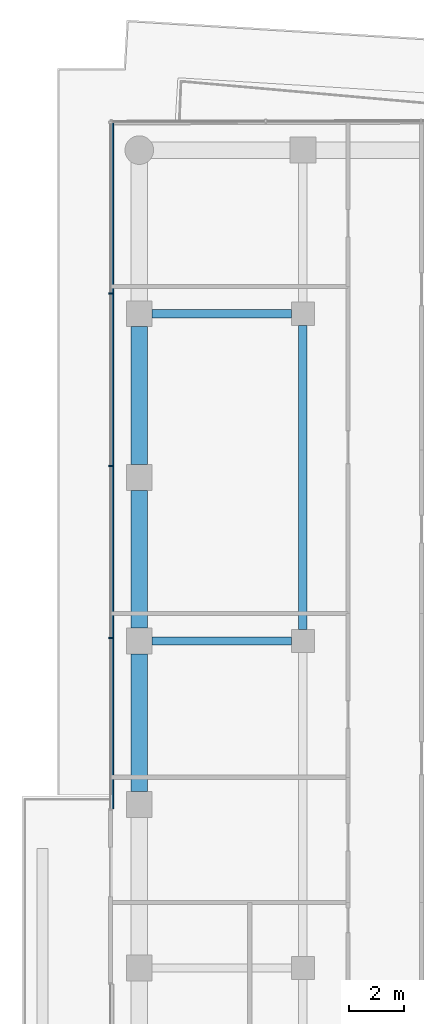
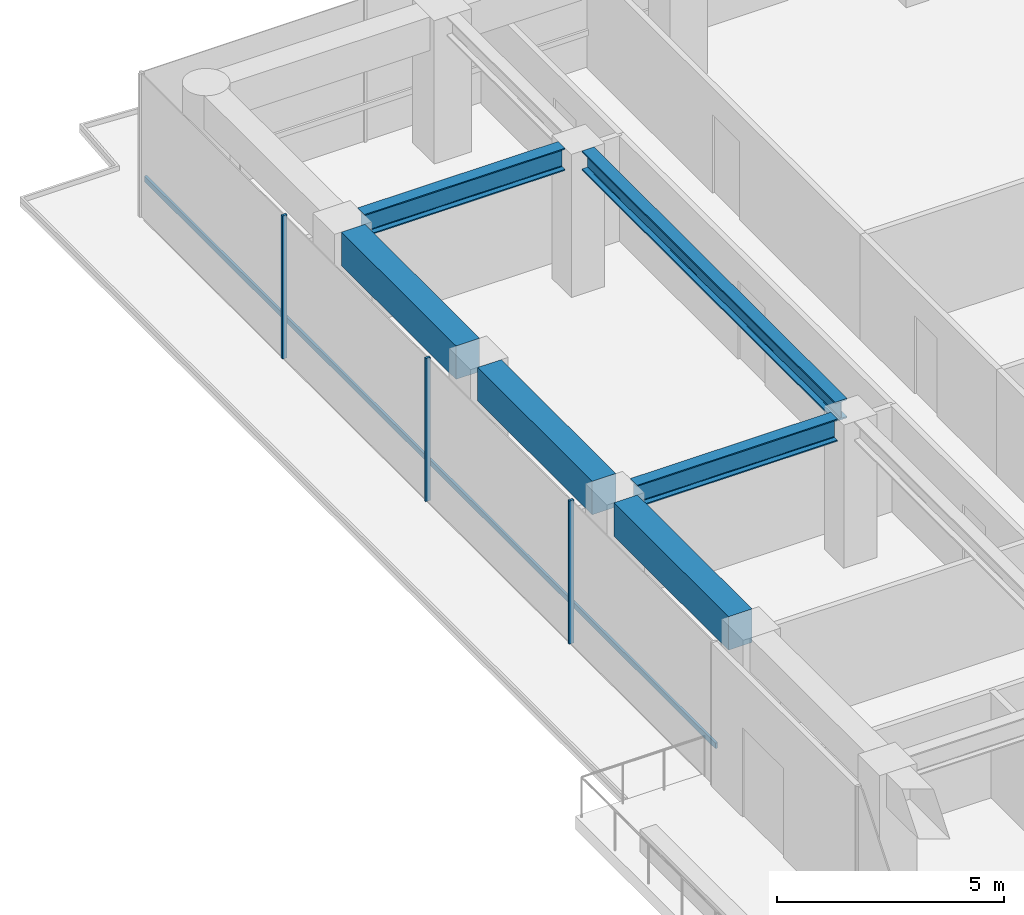
# One storey, part 14 of 27: 6 beams, 4 members, 1 element without a shape of its own.
"""IFC4 building model written with IfcOpenShell, lengths in metres."""

from ifc_helpers import new_model, si_unit, direction, frame, origin, origin_2d, place, context, subcontext, project, spatial, rectangle, i_section, extrude, material, layer, layer_set, material_profile, profile_set, type_object, element, aggregate, save


model = new_model("IFC4")

# Units and contexts
model_context = context("Model", 3, precision=1e-05, world=origin(), true_north=direction((0.0, 1.0)))
body_context = subcontext(model_context, "Body", "Model", "MODEL_VIEW")
ifc_project = project(units=[si_unit("LENGTHUNIT", "METRE"), si_unit("AREAUNIT", "SQUARE_METRE"), si_unit("VOLUMEUNIT", "CUBIC_METRE"), si_unit("PLANEANGLEUNIT", "RADIAN"), si_unit("MASSUNIT", "GRAM", prefix="KILO")], contexts=[model_context])

# Site, building, storey
site_placement = place(None, origin())
site = spatial("IfcSite", under=ifc_project, at=site_placement, CompositionType="ELEMENT")
building_placement = place(site_placement, origin())
building = spatial("IfcBuilding", under=site, at=building_placement, Name="Welwitschia Terrace Campus", CompositionType="ELEMENT")
storey_placement = place(building_placement, frame((0.0, 0.0, 37.39990234375)))
storey = spatial("IfcBuildingStorey", under=building, at=storey_placement, Name="L08", CompositionType="ELEMENT", Elevation=37.39990234375)

# Beam
ifc_material_1 = material(Name="Steel S355", Category="steel")
ifc_material_profile_1 = material_profile(ifc_material_1, i_section(OverallWidth=0.305908203125, OverallDepth=0.52392578125, WebThickness=0.02099609375, FlangeThickness=0.0400390625, FilletRadius=0.027099609375, at=origin_2d()))
ifc_profile_set_1 = profile_set([ifc_material_profile_1], Name="Steel S355")
beam_type_1 = type_object("IfcBeamType", Name="Interior girder HE 500 M", PredefinedType="BEAM", material=ifc_profile_set_1)
beam_placement = place(storey_placement, frame((6.0, 44.425537109375, 3.588134765625), z_axis=(0.0, 1.0, 0.0), x_axis=(-1.0, 0.0, 0.0)))
element("IfcBeam", 1, at=beam_placement, inside=storey, type_object=beam_type_1, Name="Girder GB2", PredefinedType="BEAM", context=body_context, shape_type="SweptSolid", body=[
    extrude(i_section(OverallWidth=0.305908203125, OverallDepth=0.52392578125, WebThickness=0.02099609375, FlangeThickness=0.0400390625, FilletRadius=0.027099609375, at=origin_2d()), origin(), (0.0, 0.0, 1.0), 11.14892578125),
])

# Curtain wall, members
ifc_material_2 = material(Name="Bronze anodised aluminium", Category="aluminium")
ifc_layer = layer(ifc_material_2, 0.1201171875)
ifc_layer_set = layer_set([ifc_layer], Name="Bronze anodised aluminium")
curtain_wall_type = type_object("IfcCurtainWallType", Name="Curtain wall CW2 tower 6000", PredefinedType="NOTDEFINED", material=ifc_layer_set)
curtain_wall_placement = place(storey_placement, origin())
curtain_wall = element("IfcCurtainWall", 2, at=curtain_wall_placement, inside=storey, type_object=curtain_wall_type, Name="CW L08.13.0", PredefinedType="NOTDEFINED")
ifc_material_3 = material(Name="Bronze anodised aluminium", Category="aluminium")
ifc_material_profile_2 = material_profile(ifc_material_3, rectangle(XDim=0.1201171875, YDim=0.06005859375, at=origin_2d()))
ifc_profile_set_2 = profile_set([ifc_material_profile_2], Name="Bronze anodised aluminium")
member_type_1 = type_object("IfcMemberType", Name="Mullion 60x120", PredefinedType="MULLION", material=ifc_profile_set_2)
member_1_placement = place(storey_placement, frame((-1.05810546875, 56.7353515625, 0.0), z_axis=(0.0, 0.0, 1.0), x_axis=(1.0, 0.0, 0.0)))
member_1 = element("IfcMember", 3, at=member_1_placement, type_object=member_type_1, Name="Mullion L08.13.0.1", PredefinedType="MULLION", context=body_context, shape_type="SweptSolid", body=[
    extrude(rectangle(XDim=0.1201171875, YDim=0.06005859375, at=origin_2d()), origin(), (0.0, 0.0, 1.0), 3.85009765625),
])
member_2_placement = place(storey_placement, frame((-1.05810546875, 50.41845703125, 0.0), z_axis=(0.0, 0.0, 1.0), x_axis=(1.0, 0.0, 0.0)))
member_2 = element("IfcMember", 4, at=member_2_placement, type_object=member_type_1, Name="Mullion L08.13.0.2", PredefinedType="MULLION", context=body_context, shape_type="SweptSolid", body=[
    extrude(rectangle(XDim=0.1201171875, YDim=0.06005859375, at=origin_2d()), origin(), (0.0, 0.0, 1.0), 3.85009765625),
])
member_3_placement = place(storey_placement, frame((-1.05810546875, 44.1015625, 0.0), z_axis=(0.0, 0.0, 1.0), x_axis=(1.0, 0.0, 0.0)))
member_3 = element("IfcMember", 5, at=member_3_placement, type_object=member_type_1, Name="Mullion L08.13.0.3", PredefinedType="MULLION", context=body_context, shape_type="SweptSolid", body=[
    extrude(rectangle(XDim=0.1201171875, YDim=0.06005859375, at=origin_2d()), origin(), (0.0, 0.0, 1.0), 3.85009765625),
])

# Beams
ifc_material_4 = material(Name="Steel S355", Category="steel")
ifc_material_profile_3 = material_profile(ifc_material_4, i_section(OverallWidth=0.300048828125, OverallDepth=0.60009765625, WebThickness=0.015380859375, FlangeThickness=0.030029296875, FilletRadius=0.027099609375, at=origin_2d()))
ifc_profile_set_3 = profile_set([ifc_material_profile_3], Name="Steel S355")
beam_type_2 = type_object("IfcBeamType", Name="Primary beam HE 600 B", PredefinedType="BEAM", material=ifc_profile_set_3)
for number, where, z_axis, x_axis, name in (
    (6, (0.4755859375, 56.0, 3.550048828125), (1.0, 0.0, 0.0), (0.0, 1.0, 0.0), "Primary beam PB2"),
    (7, (0.4755859375, 44.0, 3.550048828125), (1.0, 0.0, 0.0), (0.0, 1.0, 0.0), "Primary beam PB2"),
):
    element("IfcBeam", number, at=place(storey_placement, frame(where, z_axis=z_axis, x_axis=x_axis)), inside=storey, type_object=beam_type_2, Name=name, PredefinedType="BEAM", context=body_context, shape_type="SweptSolid", body=[
        extrude(i_section(OverallWidth=0.300048828125, OverallDepth=0.60009765625, WebThickness=0.015380859375, FlangeThickness=0.030029296875, FilletRadius=0.027099609375, at=origin_2d()), origin(), (0.0, 0.0, 1.0), 5.098876953125),
    ])
ifc_material_5 = material(Name="Concrete C60/75", Category="concrete")
ifc_material_profile_4 = material_profile(ifc_material_5, rectangle(XDim=0.60009765625, YDim=0.89990234375, at=origin_2d()))
ifc_profile_set_4 = profile_set([ifc_material_profile_4], Name="Concrete C60/75")
beam_type_3 = type_object("IfcBeamType", Name="Ring spandrel 600x900", PredefinedType="SPANDREL", material=ifc_profile_set_4)
for number, where, z_axis, x_axis, name in (
    (8, (0.0, 55.5244140625, 3.400146484375), (0.0, -1.0, 0.0), (1.0, 0.0, 0.0), "Spandrel SP2"),
    (9, (0.0, 49.5244140625, 3.400146484375), (0.0, -1.0, 0.0), (1.0, 0.0, 0.0), "Spandrel SP2"),
    (10, (0.0, 43.5244140625, 3.400146484375), (0.0, -1.0, 0.0), (1.0, 0.0, 0.0), "Spandrel SP2"),
):
    element("IfcBeam", number, at=place(storey_placement, frame(where, z_axis=z_axis, x_axis=x_axis)), inside=storey, type_object=beam_type_3, Name=name, PredefinedType="SPANDREL", context=body_context, shape_type="SweptSolid", body=[
        extrude(rectangle(XDim=0.60009765625, YDim=0.89990234375, at=origin_2d()), origin(), (0.0, 0.0, 1.0), 5.048828125),
    ])

# Member
ifc_material_6 = material(Name="Bronze anodised aluminium", Category="aluminium")
ifc_material_profile_5 = material_profile(ifc_material_6, rectangle(XDim=0.06005859375, YDim=0.14990234375, at=origin_2d()))
ifc_profile_set_5 = profile_set([ifc_material_profile_5], Name="Bronze anodised aluminium")
member_type_2 = type_object("IfcMemberType", Name="Transom 60x150", PredefinedType="USERDEFINED", material=ifc_profile_set_5)
member_4_placement = place(storey_placement, frame((-0.968017578125, 62.992431640625, 1.0), z_axis=(0.0, -1.0, 0.0), x_axis=(1.0, 0.0, 0.0)))
member_4 = element("IfcMember", 11, at=member_4_placement, type_object=member_type_2, Name="Transom L08.13.0", ObjectType="TRANSOM", PredefinedType="USERDEFINED", context=body_context, shape_type="SweptSolid", body=[
    extrude(rectangle(XDim=0.06005859375, YDim=0.14990234375, at=origin_2d()), origin(), (0.0, 0.0, 1.0), 25.14794921875),
])

aggregate(curtain_wall, [member_1, member_2, member_3, member_4])

save(model, "model.ifc")
